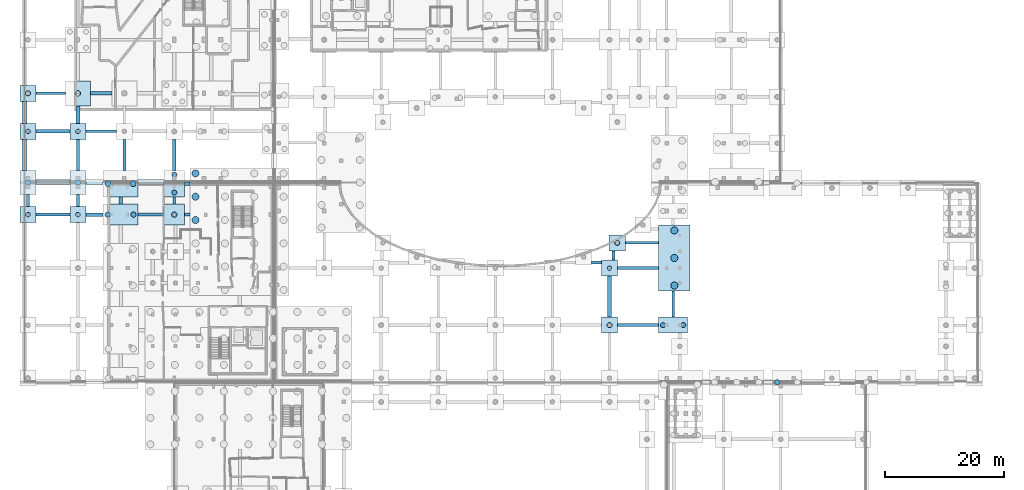
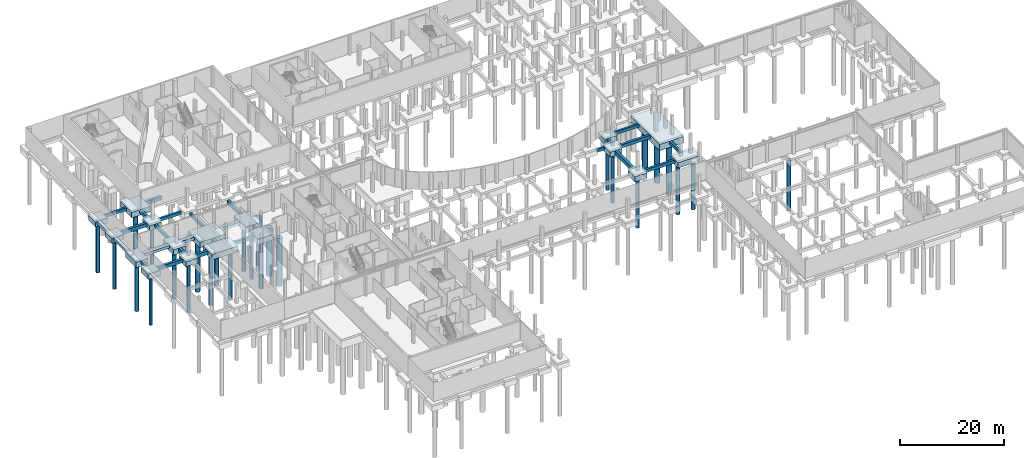
# One storey, part 5 of 40: 46 footings, 27 piles.
"""IFC4 building model written with IfcOpenShell, lengths in metres."""

from ifc_helpers import new_model, si_unit, direction, frame, origin, origin_2d, place, context, subcontext, project, spatial, polyline, circle, outline, extrude, material, material_profile, profile_set, type_object, element, save


model = new_model("IFC4")

# Units and contexts
model_context = context("Model", 3, precision=1e-05, world=origin(), true_north=direction((0.0, 1.0)))
body_context = subcontext(model_context, "Body", "Model", "MODEL_VIEW")
ifc_project = project(units=[si_unit("LENGTHUNIT", "METRE"), si_unit("AREAUNIT", "SQUARE_METRE"), si_unit("VOLUMEUNIT", "CUBIC_METRE"), si_unit("PLANEANGLEUNIT", "RADIAN"), si_unit("MASSUNIT", "GRAM", prefix="KILO")], contexts=[model_context])

# Site, building, storey
site_placement = place(None, origin())
site = spatial("IfcSite", under=ifc_project, at=site_placement, CompositionType="ELEMENT")
building_placement = place(site_placement, origin())
building = spatial("IfcBuilding", under=site, at=building_placement, Name="Mzevani Central Library", CompositionType="ELEMENT")
storey_placement = place(building_placement, frame((0.0, 0.0, -4.5)))
storey = spatial("IfcBuildingStorey", under=building, at=storey_placement, Name="B1", CompositionType="ELEMENT", Elevation=-4.5)

# Piles
ifc_material = material(Name="Concrete C40/50", Category="concrete")
ifc_material_profile_1 = material_profile(ifc_material, circle(Radius=0.5, at=origin_2d()), Name="PILE D1000")
ifc_profile_set_1 = profile_set([ifc_material_profile_1], Name="Concrete C40/50")
pile_type_1 = type_object("IfcPileType", Name="Bored Pile D1000", PredefinedType="BORED", material=ifc_profile_set_1)
for number, where, z_axis, x_axis, name in (
    (1, (18.070068359375, 75.800048828125, -1.6201171875), (0.0, 0.0, -1.0), (1.0, 0.0, 0.0), "B1 Bored Pile P-04 (108)"),
    (2, (22.280029296875, 75.800048828125, -1.6201171875), (0.0, 0.0, -1.0), (1.0, 0.0, 0.0), "B1 Bored Pile P-04 (109)"),
):
    element("IfcPile", number, at=place(storey_placement, frame(where, z_axis=z_axis, x_axis=x_axis)), inside=storey, type_object=pile_type_1, Name=name, PredefinedType="BORED", context=body_context, shape_type="SweptSolid", body=[
        extrude(circle(Radius=0.5, at=origin_2d()), origin(), (0.0, 0.0, 1.0), 11.8798828125),
    ])
ifc_material_profile_2 = material_profile(ifc_material, circle(Radius=0.60009765625, at=origin_2d()), Name="PILE D1200")
ifc_profile_set_2 = profile_set([ifc_material_profile_2], Name="Concrete C40/50")
pile_type_2 = type_object("IfcPileType", Name="Bored Pile D1200", PredefinedType="BORED", material=ifc_profile_set_2)
for number, where, z_axis, x_axis, name in (
    (3, (32.77001953125, 69.68603515625, -2.1201171875), (0.0, 0.0, -1.0), (1.0, 0.0, 0.0), "B1 Bored Pile P-06 (4)"),
    (4, (32.77001953125, 73.60791015625, -2.1201171875), (0.0, 0.0, -1.0), (1.0, 0.0, 0.0), "B1 Bored Pile P-06 (5)"),
    (5, (32.77001953125, 77.530029296875, -2.1201171875), (0.0, 0.0, -1.0), (1.0, 0.0, 0.0), "B1 Bored Pile P-06 (6)"),
):
    element("IfcPile", number, at=place(storey_placement, frame(where, z_axis=z_axis, x_axis=x_axis)), inside=storey, type_object=pile_type_2, Name=name, PredefinedType="BORED", context=body_context, shape_type="SweptSolid", body=[
        extrude(circle(Radius=0.60009765625, at=origin_2d()), origin(), (0.0, 0.0, 1.0), 11.3798828125),
    ])
for number, where, z_axis, x_axis, name in (
    (6, (113.300048828125, 58.669921875, -1.820068359375), (0.0, 0.0, -1.0), (1.0, 0.0, 0.0), "B1 Bored Pile P-06 (56)"),
    (7, (113.300048828125, 63.300048828125, -1.820068359375), (0.0, 0.0, -1.0), (1.0, 0.0, 0.0), "B1 Bored Pile P-06 (57)"),
    (8, (113.300048828125, 67.929931640625, -1.820068359375), (0.0, 0.0, -1.0), (1.0, 0.0, 0.0), "B1 Bored Pile P-06 (58)"),
):
    element("IfcPile", number, at=place(storey_placement, frame(where, z_axis=z_axis, x_axis=x_axis)), inside=storey, type_object=pile_type_2, Name=name, PredefinedType="BORED", context=body_context, shape_type="SweptSolid", body=[
        extrude(circle(Radius=0.60009765625, at=origin_2d()), origin(), (0.0, 0.0, 1.0), 11.679931640625),
    ])
ifc_material_profile_3 = material_profile(ifc_material, circle(Radius=0.375, at=origin_2d()), Name="PILE D750")
ifc_profile_set_3 = profile_set([ifc_material_profile_3], Name="Concrete C40/50")
pile_type_3 = type_object("IfcPileType", Name="Bored Pile D750", PredefinedType="BORED", material=ifc_profile_set_3)
for number, where, z_axis, x_axis, name in (
    (9, (102.39990234375, 61.60009765625, -1.52001953125), (0.0, 0.0, -1.0), (1.0, 0.0, 0.0), "B1 Bored Pile P-01 (51)"),
    (10, (4.60009765625, 84.60009765625, -1.52001953125), (0.0, 0.0, -1.0), (1.0, 0.0, 0.0), "B1 Bored Pile P-01 (96)"),
    (11, (13.0, 84.60009765625, -1.52001953125), (0.0, 0.0, -1.0), (1.0, 0.0, 0.0), "B1 Bored Pile P-01 (102)"),
    (12, (4.60009765625, 70.60009765625, -1.52001953125), (0.0, 0.0, -1.0), (1.0, 0.0, 0.0), "B1 Bored Pile P-01 (297)"),
    (13, (13.0, 70.60009765625, -1.52001953125), (0.0, 0.0, -1.0), (1.0, 0.0, 0.0), "B1 Bored Pile P-01 (301)"),
):
    element("IfcPile", number, at=place(storey_placement, frame(where, z_axis=z_axis, x_axis=x_axis)), inside=storey, type_object=pile_type_3, Name=name, PredefinedType="BORED", context=body_context, shape_type="SweptSolid", body=[
        extrude(circle(Radius=0.375, at=origin_2d()), origin(), (0.0, 0.0, 1.0), 11.97998046875),
    ])
ifc_material_profile_4 = material_profile(ifc_material, circle(Radius=0.425048828125, at=origin_2d()), Name="PILE D850")
ifc_profile_set_4 = profile_set([ifc_material_profile_4], Name="Concrete C40/50")
pile_type_4 = type_object("IfcPileType", Name="Bored Pile D850", PredefinedType="BORED", material=ifc_profile_set_4)
pile_placement = place(storey_placement, frame((102.39990234375, 52.0, -1.52001953125), z_axis=(0.0, 0.0, -1.0), x_axis=(1.0, 0.0, 0.0)))
element("IfcPile", 14, at=pile_placement, inside=storey, type_object=pile_type_4, Name="B1 Bored Pile P-02 (50)", PredefinedType="BORED", context=body_context, shape_type="SweptSolid", body=[
    extrude(circle(Radius=0.425048828125, at=origin_2d()), origin(), (0.0, 0.0, 1.0), 11.97998046875),
])
for number, where, z_axis, x_axis, name in (
    (15, (111.39501953125, 52.0, -1.6201171875), (0.0, 0.0, -1.0), (1.0, 0.0, 0.0), "B1 Bored Pile P-02 (54)"),
    (16, (114.804931640625, 52.0, -1.6201171875), (0.0, 0.0, -1.0), (1.0, 0.0, 0.0), "B1 Bored Pile P-02 (55)"),
):
    element("IfcPile", number, at=place(storey_placement, frame(where, z_axis=z_axis, x_axis=x_axis)), inside=storey, type_object=pile_type_4, Name=name, PredefinedType="BORED", context=body_context, shape_type="SweptSolid", body=[
        extrude(circle(Radius=0.425048828125, at=origin_2d()), origin(), (0.0, 0.0, 1.0), 11.8798828125),
    ])
for number, where, z_axis, x_axis, name in (
    (17, (103.7060546875, 65.843994140625, -1.52001953125), (0.0, 0.0, -1.0), (1.0, 0.0, 0.0), "B1 Bored Pile P-02 (93)"),
    (18, (4.60009765625, 91.0, -1.52001953125), (0.0, 0.0, -1.0), (1.0, 0.0, 0.0), "B1 Bored Pile P-02 (97)"),
):
    element("IfcPile", number, at=place(storey_placement, frame(where, z_axis=z_axis, x_axis=x_axis)), inside=storey, type_object=pile_type_4, Name=name, PredefinedType="BORED", context=body_context, shape_type="SweptSolid", body=[
        extrude(circle(Radius=0.425048828125, at=origin_2d()), origin(), (0.0, 0.0, 1.0), 11.97998046875),
    ])
for number, where, z_axis, x_axis, name in (
    (19, (29.199951171875, 74.294921875, -1.6201171875), (0.0, 0.0, -1.0), (1.0, 0.0, 0.0), "B1 Bored Pile P-02 (112)"),
    (20, (29.199951171875, 77.304931640625, -1.6201171875), (0.0, 0.0, -1.0), (1.0, 0.0, 0.0), "B1 Bored Pile P-02 (113)"),
):
    element("IfcPile", number, at=place(storey_placement, frame(where, z_axis=z_axis, x_axis=x_axis)), inside=storey, type_object=pile_type_4, Name=name, PredefinedType="BORED", context=body_context, shape_type="SweptSolid", body=[
        extrude(circle(Radius=0.425048828125, at=origin_2d()), origin(), (0.0, 0.0, 1.0), 11.8798828125),
    ])
ifc_material_profile_5 = material_profile(ifc_material, circle(Radius=0.449951171875, at=origin_2d()), Name="PILE D900")
ifc_profile_set_5 = profile_set([ifc_material_profile_5], Name="Concrete C40/50")
pile_type_5 = type_object("IfcPileType", Name="Bored Pile D900", PredefinedType="BORED", material=ifc_profile_set_5)
for number, where, z_axis, x_axis, name in (
    (21, (130.6201171875, 42.39990234375, -1.6201171875), (0.0, 0.0, -1.0), (1.0, 0.0, 0.0), "B1 Bored Pile P-03 (79)"),
    (22, (4.60009765625, 76.0, -1.6201171875), (0.0, 0.0, -1.0), (1.0, 0.0, 0.0), "B1 Bored Pile P-03 (95)"),
    (23, (13.0, 76.0, -1.6201171875), (0.0, 0.0, -1.0), (1.0, 0.0, 0.0), "B1 Bored Pile P-03 (101)"),
    (24, (13.0, 91.0, -1.6201171875), (0.0, 0.0, -1.0), (1.0, 0.0, 0.0), "B1 Bored Pile P-03 (103)"),
    (25, (18.02001953125, 70.60009765625, -1.6201171875), (0.0, 0.0, -1.0), (1.0, 0.0, 0.0), "B1 Bored Pile P-03 (311)"),
    (26, (22.330078125, 70.60009765625, -1.6201171875), (0.0, 0.0, -1.0), (1.0, 0.0, 0.0), "B1 Bored Pile P-03 (312)"),
    (27, (29.199951171875, 70.60009765625, -1.6201171875), (0.0, 0.0, -1.0), (1.0, 0.0, 0.0), "B1 Bored Pile P-03 (313)"),
):
    element("IfcPile", number, at=place(storey_placement, frame(where, z_axis=z_axis, x_axis=x_axis)), inside=storey, type_object=pile_type_5, Name=name, PredefinedType="BORED", context=body_context, shape_type="SweptSolid", body=[
        extrude(circle(Radius=0.449951171875, at=origin_2d()), origin(), (0.0, 0.0, 1.0), 11.8798828125),
    ])

# Footings
footing_type_1 = type_object("IfcFootingType", Name="Ground Tie Beam RC 450x700", PredefinedType="FOOTING_BEAM", material=ifc_material)
footing_1_placement = place(storey_placement, frame((0.0, 0.0, -1.1201171875)))
element("IfcFooting", 28, at=footing_1_placement, inside=storey, type_object=footing_type_1, Name="MAT Ground Tie Beam GB-01 (5)", PredefinedType="FOOTING_BEAM", context=body_context, shape_type="SweptSolid", body=[
    extrude(outline(polyline([(5.949951171875, 90.77490234375), (10.89990234375, 90.77490234375), (10.89990234375, 91.22509765625), (5.949951171875, 91.22509765625), (5.949951171875, 90.77490234375)])), origin(), (0.0, 0.0, 1.0), 0.7001953125),
])
footing_2_placement = place(storey_placement, frame((0.0, 0.0, -1.1201171875)))
element("IfcFooting", 29, at=footing_2_placement, inside=storey, type_object=footing_type_1, Name="MAT Ground Tie Beam GB-01 (13)", PredefinedType="FOOTING_BEAM", context=body_context, shape_type="SweptSolid", body=[
    extrude(outline(polyline([(14.35009765625, 84.375), (19.449951171875, 84.375), (19.449951171875, 84.824951171875), (14.35009765625, 84.824951171875), (14.35009765625, 84.375)])), origin(), (0.0, 0.0, 1.0), 0.7001953125),
])
footing_3_placement = place(storey_placement, frame((0.0, 0.0, -1.1201171875)))
element("IfcFooting", 30, at=footing_3_placement, inside=storey, type_object=footing_type_1, Name="MAT Ground Tie Beam GB-01 (73)", PredefinedType="FOOTING_BEAM", context=body_context, shape_type="SweptSolid", body=[
    extrude(outline(polyline([(99.384033203125, 62.31103515625), (101.050048828125, 62.31103515625), (101.050048828125, 62.760986328125), (99.384033203125, 62.760986328125), (99.384033203125, 62.31103515625)])), origin(), (0.0, 0.0, 1.0), 0.7001953125),
])
footing_4_placement = place(storey_placement, frame((0.0, 0.0, -1.1201171875)))
element("IfcFooting", 31, at=footing_4_placement, inside=storey, type_object=footing_type_1, Name="MAT Ground Tie Beam GB-01 (81)", PredefinedType="FOOTING_BEAM", context=body_context, shape_type="SweptSolid", body=[
    extrude(outline(polyline([(105.055908203125, 65.618896484375), (110.64990234375, 65.618896484375), (110.64990234375, 66.069091796875), (105.055908203125, 66.069091796875), (105.055908203125, 65.618896484375)])), origin(), (0.0, 0.0, 1.0), 0.7001953125),
])
footing_5_placement = place(storey_placement, frame((0.0, 0.0, -1.1201171875)))
element("IfcFooting", 32, at=footing_5_placement, inside=storey, type_object=footing_type_1, Name="MAT Ground Tie Beam GB-01 (165)", PredefinedType="FOOTING_BEAM", context=body_context, shape_type="SweptSolid", body=[
    extrude(outline(polyline([(112.875, 53.35009765625), (113.324951171875, 53.35009765625), (113.324951171875, 57.75), (112.875, 57.75), (112.875, 53.35009765625)])), origin(), (0.0, 0.0, 1.0), 0.7001953125),
])
footing_6_placement = place(storey_placement, frame((0.0, 0.0, -1.1201171875)))
element("IfcFooting", 33, at=footing_6_placement, inside=storey, type_object=footing_type_1, Name="MAT Ground Tie Beam GB-01 (181)", PredefinedType="FOOTING_BEAM", context=body_context, shape_type="SweptSolid", body=[
    extrude(outline(polyline([(28.97509765625, 72.35009765625), (29.425048828125, 72.35009765625), (29.425048828125, 73.550048828125), (28.97509765625, 73.550048828125), (28.97509765625, 72.35009765625)])), origin(), (0.0, 0.0, 1.0), 0.7001953125),
])
footing_type_2 = type_object("IfcFootingType", Name="Ground Tie Beam RC 500x750", PredefinedType="FOOTING_BEAM", material=ifc_material)
footing_7_placement = place(storey_placement, frame((0.0, 0.0, -1.169921875)))
element("IfcFooting", 34, at=footing_7_placement, inside=storey, type_object=footing_type_2, Name="MAT Ground Tie Beam GB-02 (18)", PredefinedType="FOOTING_BEAM", context=body_context, shape_type="SweptSolid", body=[
    extrude(outline(polyline([(23.10009765625, 70.35009765625), (27.449951171875, 70.35009765625), (27.449951171875, 70.85009765625), (23.10009765625, 70.85009765625), (23.10009765625, 70.35009765625)])), origin(), (0.0, 0.0, 1.0), 0.75),
])
footing_8_placement = place(storey_placement, frame((0.0, 0.0, -1.169921875)))
element("IfcFooting", 35, at=footing_8_placement, inside=storey, type_object=footing_type_2, Name="MAT Ground Tie Beam GB-02 (78)", PredefinedType="FOOTING_BEAM", context=body_context, shape_type="SweptSolid", body=[
    extrude(outline(polyline([(103.75, 51.75), (110.64990234375, 51.75), (110.64990234375, 52.25), (103.75, 52.25), (103.75, 51.75)])), origin(), (0.0, 0.0, 1.0), 0.75),
])
footing_9_placement = place(storey_placement, frame((0.0, 0.0, -1.169921875)))
element("IfcFooting", 36, at=footing_9_placement, inside=storey, type_object=footing_type_2, Name="MAT Ground Tie Beam GB-02 (182)", PredefinedType="FOOTING_BEAM", context=body_context, shape_type="SweptSolid", body=[
    extrude(outline(polyline([(4.35009765625, 71.949951171875), (4.85009765625, 71.949951171875), (4.85009765625, 73.949951171875), (4.35009765625, 73.949951171875), (4.35009765625, 71.949951171875)])), origin(), (0.0, 0.0, 1.0), 0.75),
])
footing_10_placement = place(storey_placement, frame((0.0, 0.0, -1.169921875)))
element("IfcFooting", 37, at=footing_10_placement, inside=storey, type_object=footing_type_2, Name="MAT Ground Tie Beam GB-02 (186)", PredefinedType="FOOTING_BEAM", context=body_context, shape_type="SweptSolid", body=[
    extrude(outline(polyline([(20.550048828125, 78.050048828125), (21.050048828125, 78.050048828125), (21.050048828125, 83.25), (20.550048828125, 83.25), (20.550048828125, 78.050048828125)])), origin(), (0.0, 0.0, 1.0), 0.75),
])
footing_11_placement = place(storey_placement, frame((0.0, 0.0, -1.169921875)))
element("IfcFooting", 38, at=footing_11_placement, inside=storey, type_object=footing_type_2, Name="MAT Ground Tie Beam GB-02 (190)", PredefinedType="FOOTING_BEAM", context=body_context, shape_type="SweptSolid", body=[
    extrude(outline(polyline([(12.75, 78.050048828125), (13.25, 78.050048828125), (13.25, 83.25), (12.75, 83.25), (12.75, 78.050048828125)])), origin(), (0.0, 0.0, 1.0), 0.75),
])
footing_type_3 = type_object("IfcFootingType", Name="Ground Tie Beam RC 550x800", PredefinedType="FOOTING_BEAM", material=ifc_material)
footing_12_placement = place(storey_placement, frame((0.0, 0.0, -1.219970703125)))
element("IfcFooting", 39, at=footing_12_placement, inside=storey, type_object=footing_type_3, Name="MAT Ground Tie Beam GB-03 (3)", PredefinedType="FOOTING_BEAM", context=body_context, shape_type="SweptSolid", body=[
    extrude(outline(polyline([(5.949951171875, 70.324951171875), (11.64990234375, 70.324951171875), (11.64990234375, 70.875), (5.949951171875, 70.875), (5.949951171875, 70.324951171875)])), origin(), (0.0, 0.0, 1.0), 0.800048828125),
])
footing_13_placement = place(storey_placement, frame((0.0, 0.0, -1.219970703125)))
element("IfcFooting", 40, at=footing_13_placement, inside=storey, type_object=footing_type_3, Name="MAT Ground Tie Beam GB-03 (27)", PredefinedType="FOOTING_BEAM", context=body_context, shape_type="SweptSolid", body=[
    extrude(outline(polyline([(30.949951171875, 70.324951171875), (31.85009765625, 70.324951171875), (31.85009765625, 70.875), (30.949951171875, 70.875), (30.949951171875, 70.324951171875)])), origin(), (0.0, 0.0, 1.0), 0.800048828125),
])
footing_14_placement = place(storey_placement, frame((0.0, 0.0, -1.219970703125)))
element("IfcFooting", 41, at=footing_14_placement, inside=storey, type_object=footing_type_3, Name="MAT Ground Tie Beam GB-03 (79)", PredefinedType="FOOTING_BEAM", context=body_context, shape_type="SweptSolid", body=[
    extrude(outline(polyline([(103.75, 61.324951171875), (110.64990234375, 61.324951171875), (110.64990234375, 61.875), (103.75, 61.875), (103.75, 61.324951171875)])), origin(), (0.0, 0.0, 1.0), 0.800048828125),
])
footing_15_placement = place(storey_placement, frame((0.0, 0.0, -1.219970703125)))
element("IfcFooting", 42, at=footing_15_placement, inside=storey, type_object=footing_type_3, Name="MAT Ground Tie Beam GB-03 (175)", PredefinedType="FOOTING_BEAM", context=body_context, shape_type="SweptSolid", body=[
    extrude(outline(polyline([(102.778076171875, 62.949951171875), (103.327880859375, 62.949951171875), (103.327880859375, 64.493896484375), (102.778076171875, 64.493896484375), (102.778076171875, 62.949951171875)])), origin(), (0.0, 0.0, 1.0), 0.800048828125),
])
footing_16_placement = place(storey_placement, frame((0.0, 0.0, -1.219970703125)))
element("IfcFooting", 43, at=footing_16_placement, inside=storey, type_object=footing_type_3, Name="MAT Ground Tie Beam GB-03 (183)", PredefinedType="FOOTING_BEAM", context=body_context, shape_type="SweptSolid", body=[
    extrude(outline(polyline([(12.72509765625, 71.949951171875), (13.27490234375, 71.949951171875), (13.27490234375, 73.949951171875), (12.72509765625, 73.949951171875), (12.72509765625, 71.949951171875)])), origin(), (0.0, 0.0, 1.0), 0.800048828125),
])
footing_17_placement = place(storey_placement, frame((0.0, 0.0, -1.219970703125)))
element("IfcFooting", 44, at=footing_17_placement, inside=storey, type_object=footing_type_3, Name="MAT Ground Tie Beam GB-03 (187)", PredefinedType="FOOTING_BEAM", context=body_context, shape_type="SweptSolid", body=[
    extrude(outline(polyline([(28.925048828125, 78.050048828125), (29.47509765625, 78.050048828125), (29.47509765625, 83.25), (28.925048828125, 83.25), (28.925048828125, 78.050048828125)])), origin(), (0.0, 0.0, 1.0), 0.800048828125),
])
footing_type_4 = type_object("IfcFootingType", Name="Ground Tie Beam RC 600x850", PredefinedType="FOOTING_BEAM", material=ifc_material)
footing_18_placement = place(storey_placement, frame((0.0, 0.0, -1.27001953125)))
element("IfcFooting", 45, at=footing_18_placement, inside=storey, type_object=footing_type_4, Name="MAT Ground Tie Beam GB-04 (4)", PredefinedType="FOOTING_BEAM", context=body_context, shape_type="SweptSolid", body=[
    extrude(outline(polyline([(5.949951171875, 84.300048828125), (11.64990234375, 84.300048828125), (11.64990234375, 84.89990234375), (5.949951171875, 84.89990234375), (5.949951171875, 84.300048828125)])), origin(), (0.0, 0.0, 1.0), 0.85009765625),
])
footing_19_placement = place(storey_placement, frame((0.0, 0.0, -1.27001953125)))
element("IfcFooting", 46, at=footing_19_placement, inside=storey, type_object=footing_type_4, Name="MAT Ground Tie Beam GB-04 (8)", PredefinedType="FOOTING_BEAM", context=body_context, shape_type="SweptSolid", body=[
    extrude(outline(polyline([(15.10009765625, 90.699951171875), (18.699951171875, 90.699951171875), (18.699951171875, 91.300048828125), (15.10009765625, 91.300048828125), (15.10009765625, 90.699951171875)])), origin(), (0.0, 0.0, 1.0), 0.85009765625),
])
footing_20_placement = place(storey_placement, frame((0.0, 0.0, -1.27001953125)))
element("IfcFooting", 47, at=footing_20_placement, inside=storey, type_object=footing_type_4, Name="MAT Ground Tie Beam GB-04 (12)", PredefinedType="FOOTING_BEAM", context=body_context, shape_type="SweptSolid", body=[
    extrude(outline(polyline([(14.35009765625, 70.300048828125), (17.25, 70.300048828125), (17.25, 70.89990234375), (14.35009765625, 70.89990234375), (14.35009765625, 70.300048828125)])), origin(), (0.0, 0.0, 1.0), 0.85009765625),
])
footing_21_placement = place(storey_placement, frame((0.0, 0.0, -1.27001953125)))
element("IfcFooting", 48, at=footing_21_placement, inside=storey, type_object=footing_type_4, Name="MAT Ground Tie Beam GB-04 (28)", PredefinedType="FOOTING_BEAM", context=body_context, shape_type="SweptSolid", body=[
    extrude(outline(polyline([(30.949951171875, 75.5), (31.85009765625, 75.5), (31.85009765625, 76.10009765625), (30.949951171875, 76.10009765625), (30.949951171875, 75.5)])), origin(), (0.0, 0.0, 1.0), 0.85009765625),
])
footing_22_placement = place(storey_placement, frame((0.0, 0.0, -1.27001953125)))
element("IfcFooting", 49, at=footing_22_placement, inside=storey, type_object=footing_type_4, Name="MAT Ground Tie Beam GB-04 (164)", PredefinedType="FOOTING_BEAM", context=body_context, shape_type="SweptSolid", body=[
    extrude(outline(polyline([(102.10009765625, 53.35009765625), (102.699951171875, 53.35009765625), (102.699951171875, 60.25), (102.10009765625, 60.25), (102.10009765625, 53.35009765625)])), origin(), (0.0, 0.0, 1.0), 0.85009765625),
])
footing_23_placement = place(storey_placement, frame((0.0, 0.0, -1.27001953125)))
element("IfcFooting", 50, at=footing_23_placement, inside=storey, type_object=footing_type_4, Name="MAT Ground Tie Beam GB-04 (180)", PredefinedType="FOOTING_BEAM", context=body_context, shape_type="SweptSolid", body=[
    extrude(outline(polyline([(19.875, 72.35009765625), (20.47509765625, 72.35009765625), (20.47509765625, 73.550048828125), (19.875, 73.550048828125), (19.875, 72.35009765625)])), origin(), (0.0, 0.0, 1.0), 0.85009765625),
])
footing_24_placement = place(storey_placement, frame((0.0, 0.0, -1.27001953125)))
element("IfcFooting", 51, at=footing_24_placement, inside=storey, type_object=footing_type_4, Name="MAT Ground Tie Beam GB-04 (192)", PredefinedType="FOOTING_BEAM", context=body_context, shape_type="SweptSolid", body=[
    extrude(outline(polyline([(12.699951171875, 85.949951171875), (13.300048828125, 85.949951171875), (13.300048828125, 88.89990234375), (12.699951171875, 88.89990234375), (12.699951171875, 85.949951171875)])), origin(), (0.0, 0.0, 1.0), 0.85009765625),
])
footing_type_5 = type_object("IfcFootingType", Name="Perimeter Strip Footing RC 800x600", PredefinedType="STRIP_FOOTING", material=ifc_material)
footing_25_placement = place(storey_placement, frame((0.0, 0.0, -1.02001953125)))
element("IfcFooting", 52, at=footing_25_placement, inside=storey, type_object=footing_type_5, Name="B1 Perimeter Strip Footing SF-01 (27)", PredefinedType="STRIP_FOOTING", context=body_context, shape_type="SweptSolid", body=[
    extrude(outline(polyline([(4.39990234375, 83.25), (4.39990234375, 78.050048828125), (3.60009765625, 78.050048828125), (3.60009765625, 83.25), (4.39990234375, 83.25)])), origin(), (0.0, 0.0, 1.0), 0.60009765625),
])
footing_26_placement = place(storey_placement, frame((0.0, 0.0, -1.02001953125)))
element("IfcFooting", 53, at=footing_26_placement, inside=storey, type_object=footing_type_5, Name="B1 Perimeter Strip Footing SF-01 (28)", PredefinedType="STRIP_FOOTING", context=body_context, shape_type="SweptSolid", body=[
    extrude(outline(polyline([(4.39990234375, 89.64990234375), (4.39990234375, 85.949951171875), (3.60009765625, 85.949951171875), (3.60009765625, 89.64990234375), (4.39990234375, 89.64990234375)])), origin(), (0.0, 0.0, 1.0), 0.60009765625),
])
footing_type_6 = type_object("IfcFootingType", Name="Perimeter Strip Footing RC 900x650", PredefinedType="STRIP_FOOTING", material=ifc_material)
footing_27_placement = place(storey_placement, frame((0.0, 0.0, -1.070068359375)))
element("IfcFooting", 54, at=footing_27_placement, inside=storey, type_object=footing_type_6, Name="B1 Perimeter Strip Footing SF-02 (32)", PredefinedType="STRIP_FOOTING", context=body_context, shape_type="SweptSolid", body=[
    extrude(outline(polyline([(23.10009765625, 76.550048828125), (27.449951171875, 76.550048828125), (27.449951171875, 75.64990234375), (23.10009765625, 75.64990234375), (23.10009765625, 76.550048828125)])), origin(), (0.0, 0.0, 1.0), 0.650146484375),
])
footing_28_placement = place(storey_placement, frame((0.0, 0.0, -1.070068359375)))
element("IfcFooting", 55, at=footing_28_placement, inside=storey, type_object=footing_type_6, Name="B1 Perimeter Strip Footing SF-02 (33)", PredefinedType="STRIP_FOOTING", context=body_context, shape_type="SweptSolid", body=[
    extrude(outline(polyline([(14.35009765625, 76.550048828125), (17.25, 76.550048828125), (17.25, 75.64990234375), (14.35009765625, 75.64990234375), (14.35009765625, 76.550048828125)])), origin(), (0.0, 0.0, 1.0), 0.650146484375),
])
footing_29_placement = place(storey_placement, frame((0.0, 0.0, -1.070068359375)))
element("IfcFooting", 56, at=footing_29_placement, inside=storey, type_object=footing_type_6, Name="B1 Perimeter Strip Footing SF-02 (34)", PredefinedType="STRIP_FOOTING", context=body_context, shape_type="SweptSolid", body=[
    extrude(outline(polyline([(5.949951171875, 76.550048828125), (11.64990234375, 76.550048828125), (11.64990234375, 75.64990234375), (5.949951171875, 75.64990234375), (5.949951171875, 76.550048828125)])), origin(), (0.0, 0.0, 1.0), 0.650146484375),
])
footing_type_7 = type_object("IfcFootingType", Name="Pile Cap RC 11100x5300x1500", PredefinedType="PILE_CAP", material=ifc_material)
footing_30_placement = place(storey_placement, frame((0.0, 0.0, -1.919921875)))
element("IfcFooting", 57, at=footing_30_placement, inside=storey, type_object=footing_type_7, Name="B1 Pile Cap PC-07 (21)", PredefinedType="PILE_CAP", context=body_context, shape_type="SweptSolid", body=[
    extrude(outline(polyline([(110.64990234375, 57.75), (115.949951171875, 57.75), (115.949951171875, 68.85009765625), (110.64990234375, 68.85009765625), (110.64990234375, 57.75)])), origin(), (0.0, 0.0, 1.0), 1.5),
])
footing_type_8 = type_object("IfcFootingType", Name="Pile Cap RC 2700x2700x1200", PredefinedType="PILE_CAP", material=ifc_material)
footing_31_placement = place(storey_placement, frame((0.0, 0.0, -1.6201171875)))
element("IfcFooting", 58, at=footing_31_placement, inside=storey, type_object=footing_type_8, Name="B1 Pile Cap PC-02 (17)", PredefinedType="PILE_CAP", context=body_context, shape_type="SweptSolid", body=[
    extrude(outline(polyline([(101.050048828125, 50.64990234375), (103.75, 50.64990234375), (103.75, 53.35009765625), (101.050048828125, 53.35009765625), (101.050048828125, 50.64990234375)])), origin(), (0.0, 0.0, 1.0), 1.2001953125),
])
footing_32_placement = place(storey_placement, frame((0.0, 0.0, -1.6201171875)))
element("IfcFooting", 59, at=footing_32_placement, inside=storey, type_object=footing_type_8, Name="B1 Pile Cap PC-02 (18)", PredefinedType="PILE_CAP", context=body_context, shape_type="SweptSolid", body=[
    extrude(outline(polyline([(101.050048828125, 60.25), (103.75, 60.25), (103.75, 62.949951171875), (101.050048828125, 62.949951171875), (101.050048828125, 60.25)])), origin(), (0.0, 0.0, 1.0), 1.2001953125),
])
footing_33_placement = place(storey_placement, frame((0.0, 0.0, -1.6201171875)))
element("IfcFooting", 60, at=footing_33_placement, inside=storey, type_object=footing_type_8, Name="B1 Pile Cap PC-02 (45)", PredefinedType="PILE_CAP", context=body_context, shape_type="SweptSolid", body=[
    extrude(outline(polyline([(102.35595703125, 64.493896484375), (105.055908203125, 64.493896484375), (105.055908203125, 67.194091796875), (102.35595703125, 67.194091796875), (102.35595703125, 64.493896484375)])), origin(), (0.0, 0.0, 1.0), 1.2001953125),
])
footing_34_placement = place(storey_placement, frame((0.0, 0.0, -1.6201171875)))
element("IfcFooting", 61, at=footing_34_placement, inside=storey, type_object=footing_type_8, Name="B1 Pile Cap PC-02 (48)", PredefinedType="PILE_CAP", context=body_context, shape_type="SweptSolid", body=[
    extrude(outline(polyline([(3.25, 83.25), (5.949951171875, 83.25), (5.949951171875, 85.949951171875), (3.25, 85.949951171875), (3.25, 83.25)])), origin(), (0.0, 0.0, 1.0), 1.2001953125),
])
footing_35_placement = place(storey_placement, frame((0.0, 0.0, -1.6201171875)))
element("IfcFooting", 62, at=footing_35_placement, inside=storey, type_object=footing_type_8, Name="B1 Pile Cap PC-02 (49)", PredefinedType="PILE_CAP", context=body_context, shape_type="SweptSolid", body=[
    extrude(outline(polyline([(3.25, 89.64990234375), (5.949951171875, 89.64990234375), (5.949951171875, 92.35009765625), (3.25, 92.35009765625), (3.25, 89.64990234375)])), origin(), (0.0, 0.0, 1.0), 1.2001953125),
])
footing_36_placement = place(storey_placement, frame((0.0, 0.0, -1.6201171875)))
element("IfcFooting", 63, at=footing_36_placement, inside=storey, type_object=footing_type_8, Name="B1 Pile Cap PC-02 (54)", PredefinedType="PILE_CAP", context=body_context, shape_type="SweptSolid", body=[
    extrude(outline(polyline([(11.64990234375, 83.25), (14.35009765625, 83.25), (14.35009765625, 85.949951171875), (11.64990234375, 85.949951171875), (11.64990234375, 83.25)])), origin(), (0.0, 0.0, 1.0), 1.2001953125),
])
footing_37_placement = place(storey_placement, frame((0.0, 0.0, -1.6201171875)))
element("IfcFooting", 64, at=footing_37_placement, inside=storey, type_object=footing_type_8, Name="B1 Pile Cap PC-02 (120)", PredefinedType="PILE_CAP", context=body_context, shape_type="SweptSolid", body=[
    extrude(outline(polyline([(3.25, 69.25), (5.949951171875, 69.25), (5.949951171875, 71.949951171875), (3.25, 71.949951171875), (3.25, 69.25)])), origin(), (0.0, 0.0, 1.0), 1.2001953125),
])
footing_38_placement = place(storey_placement, frame((0.0, 0.0, -1.6201171875)))
element("IfcFooting", 65, at=footing_38_placement, inside=storey, type_object=footing_type_8, Name="B1 Pile Cap PC-02 (124)", PredefinedType="PILE_CAP", context=body_context, shape_type="SweptSolid", body=[
    extrude(outline(polyline([(11.64990234375, 69.25), (14.35009765625, 69.25), (14.35009765625, 71.949951171875), (11.64990234375, 71.949951171875), (11.64990234375, 69.25)])), origin(), (0.0, 0.0, 1.0), 1.2001953125),
])
footing_type_9 = type_object("IfcFootingType", Name="Pile Cap RC 3500x3500x1300", PredefinedType="PILE_CAP", material=ifc_material)
footing_39_placement = place(storey_placement, frame((0.0, 0.0, -1.719970703125)))
element("IfcFooting", 66, at=footing_39_placement, inside=storey, type_object=footing_type_9, Name="B1 Pile Cap PC-26 (129)", PredefinedType="PILE_CAP", context=body_context, shape_type="SweptSolid", body=[
    extrude(outline(polyline([(27.449951171875, 68.85009765625), (30.949951171875, 68.85009765625), (30.949951171875, 72.35009765625), (27.449951171875, 72.35009765625), (27.449951171875, 68.85009765625)])), origin(), (0.0, 0.0, 1.0), 1.300048828125),
])
footing_type_10 = type_object("IfcFootingType", Name="Pile Cap RC 4100x2700x1300", PredefinedType="PILE_CAP", material=ifc_material)
footing_40_placement = place(storey_placement, frame((0.0, 0.0, -1.719970703125)))
element("IfcFooting", 67, at=footing_40_placement, inside=storey, type_object=footing_type_10, Name="B1 Pile Cap PC-15 (47)", PredefinedType="PILE_CAP", context=body_context, shape_type="SweptSolid", body=[
    extrude(outline(polyline([(3.25, 73.949951171875), (5.949951171875, 73.949951171875), (5.949951171875, 78.050048828125), (3.25, 78.050048828125), (3.25, 73.949951171875)])), origin(), (0.0, 0.0, 1.0), 1.300048828125),
])
footing_41_placement = place(storey_placement, frame((0.0, 0.0, -1.719970703125)))
element("IfcFooting", 68, at=footing_41_placement, inside=storey, type_object=footing_type_10, Name="B1 Pile Cap PC-15 (53)", PredefinedType="PILE_CAP", context=body_context, shape_type="SweptSolid", body=[
    extrude(outline(polyline([(11.64990234375, 73.949951171875), (14.35009765625, 73.949951171875), (14.35009765625, 78.050048828125), (11.64990234375, 78.050048828125), (11.64990234375, 73.949951171875)])), origin(), (0.0, 0.0, 1.0), 1.300048828125),
])
footing_type_11 = type_object("IfcFootingType", Name="Pile Cap RC 4200x4200x1300", PredefinedType="PILE_CAP", material=ifc_material)
footing_42_placement = place(storey_placement, frame((0.0, 0.0, -1.719970703125)))
element("IfcFooting", 69, at=footing_42_placement, inside=storey, type_object=footing_type_11, Name="B1 Pile Cap PC-16 (55)", PredefinedType="PILE_CAP", context=body_context, shape_type="SweptSolid", body=[
    extrude(outline(polyline([(10.89990234375, 88.89990234375), (15.10009765625, 88.89990234375), (15.10009765625, 93.10009765625), (10.89990234375, 93.10009765625), (10.89990234375, 88.89990234375)])), origin(), (0.0, 0.0, 1.0), 1.300048828125),
])
footing_type_12 = type_object("IfcFootingType", Name="Pile Cap RC 4500x3500x1300", PredefinedType="PILE_CAP", material=ifc_material)
footing_43_placement = place(storey_placement, frame((0.0, 0.0, -1.719970703125)))
element("IfcFooting", 70, at=footing_43_placement, inside=storey, type_object=footing_type_12, Name="B1 Pile Cap PC-18 (60)", PredefinedType="PILE_CAP", context=body_context, shape_type="SweptSolid", body=[
    extrude(outline(polyline([(27.449951171875, 73.550048828125), (30.949951171875, 73.550048828125), (30.949951171875, 78.050048828125), (27.449951171875, 78.050048828125), (27.449951171875, 73.550048828125)])), origin(), (0.0, 0.0, 1.0), 1.300048828125),
])
footing_type_13 = type_object("IfcFootingType", Name="Pile Cap RC 4900x2700x1300", PredefinedType="PILE_CAP", material=ifc_material)
footing_44_placement = place(storey_placement, frame((0.0, 0.0, -1.719970703125)))
element("IfcFooting", 71, at=footing_44_placement, inside=storey, type_object=footing_type_13, Name="B1 Pile Cap PC-06 (20)", PredefinedType="PILE_CAP", context=body_context, shape_type="SweptSolid", body=[
    extrude(outline(polyline([(110.64990234375, 50.64990234375), (115.550048828125, 50.64990234375), (115.550048828125, 53.35009765625), (110.64990234375, 53.35009765625), (110.64990234375, 50.64990234375)])), origin(), (0.0, 0.0, 1.0), 1.300048828125),
])
footing_type_14 = type_object("IfcFootingType", Name="Pile Cap RC 5850x3500x1300", PredefinedType="PILE_CAP", material=ifc_material)
footing_45_placement = place(storey_placement, frame((0.0, 0.0, -1.719970703125)))
element("IfcFooting", 72, at=footing_45_placement, inside=storey, type_object=footing_type_14, Name="B1 Pile Cap PC-36 (128)", PredefinedType="PILE_CAP", context=body_context, shape_type="SweptSolid", body=[
    extrude(outline(polyline([(17.25, 68.85009765625), (23.10009765625, 68.85009765625), (23.10009765625, 72.35009765625), (17.25, 72.35009765625), (17.25, 68.85009765625)])), origin(), (0.0, 0.0, 1.0), 1.300048828125),
])
footing_type_15 = type_object("IfcFootingType", Name="Pile Cap RC 5850x4500x1300", PredefinedType="PILE_CAP", material=ifc_material)
footing_46_placement = place(storey_placement, frame((0.0, 0.0, -1.719970703125)))
element("IfcFooting", 73, at=footing_46_placement, inside=storey, type_object=footing_type_15, Name="B1 Pile Cap PC-17 (57)", PredefinedType="PILE_CAP", context=body_context, shape_type="SweptSolid", body=[
    extrude(outline(polyline([(17.25, 73.550048828125), (23.10009765625, 73.550048828125), (23.10009765625, 78.050048828125), (17.25, 78.050048828125), (17.25, 73.550048828125)])), origin(), (0.0, 0.0, 1.0), 1.300048828125),
])

save(model, "model.ifc")
